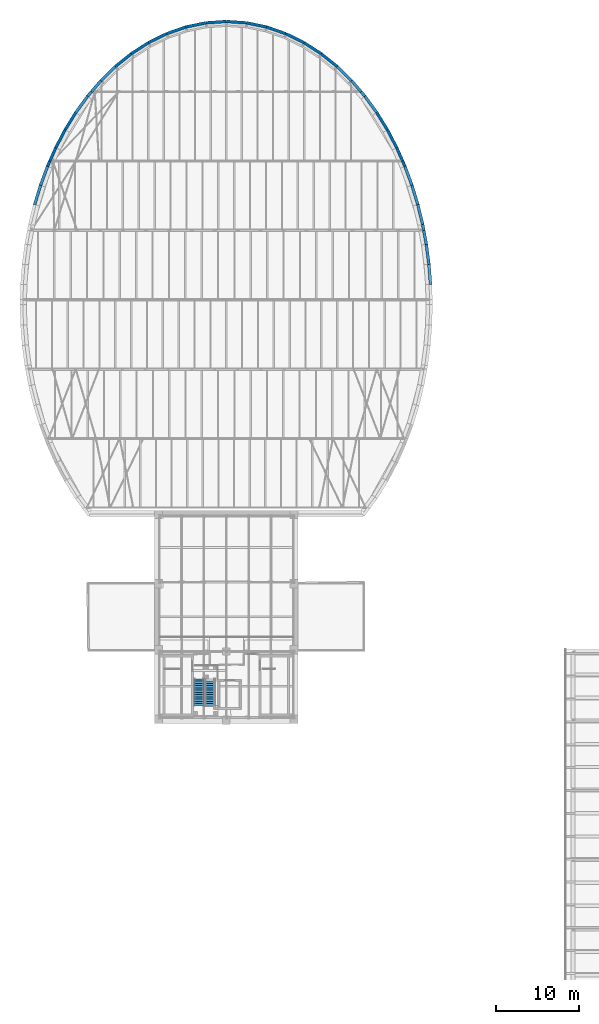
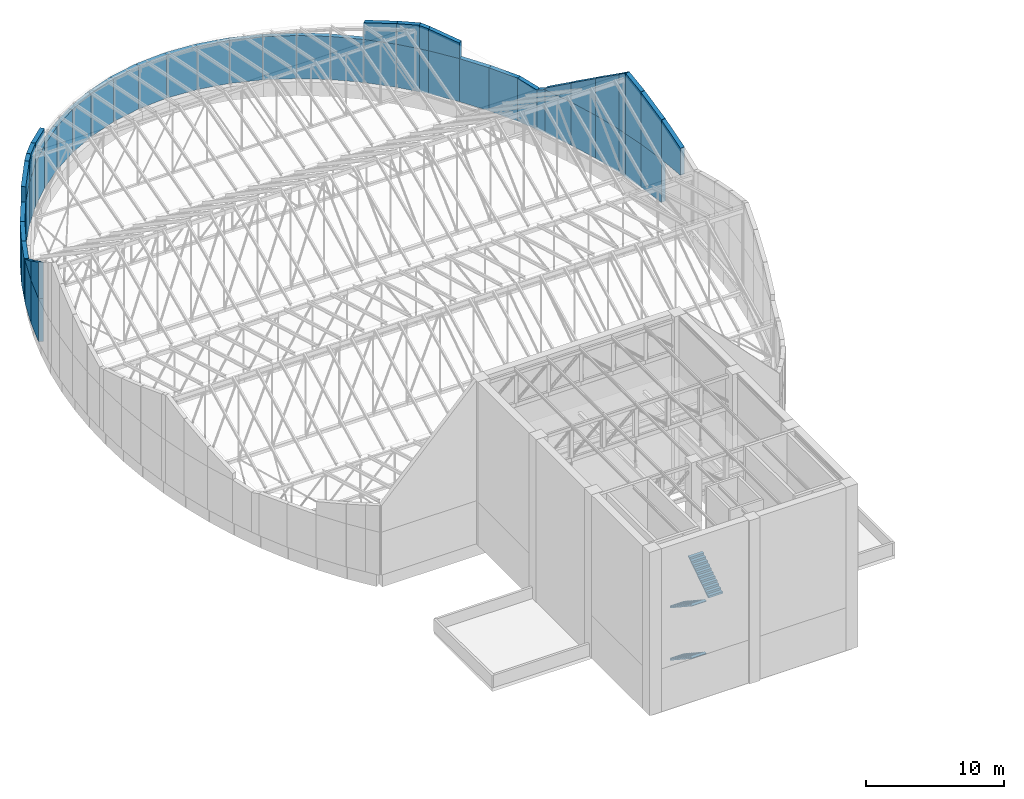
# One storey, part 38 of 68: 53 walls, 3 stair flights, 1 element without a shape of its own.
"""IFC4 building model written with IfcOpenShell, lengths in metres."""

import ifcopenshell
import ifcopenshell.guid

model = None  # the IFC model being written
_history = None  # IfcOwnerHistory: only IFC2X3 demands one
_inside = {}  # id of a spatial element -> (the spatial element, [elements in it])
_under = {}  # id of a project, library or spatial element -> (it, [spatial elements below it])
_declared = {}  # id of a project -> (the project, [libraries it declares])
_typed = {}  # id of a type object -> (the type object, [elements of that type])
_made_of = {}  # id of a material, layer set ... -> (it, [elements and type objects made of it])


def new_model(schema):
    """Start an empty IFC model of exactly this schema.

    Asked for "IFC4X3", IfcOpenShell would pick the latest addendum, in which some entities
    have other attributes; the version numbers below select the first issue.
    IFC2X3 requires an IfcOwnerHistory on every rooted entity: one is made here for all.
    """
    global model, _history
    if schema == "IFC4X3":
        model = ifcopenshell.file(schema_version=(4, 3, 0, 0))
    else:
        model = ifcopenshell.file(schema=schema)
    _inside.clear()
    _under.clear()
    _declared.clear()
    _typed.clear()
    _made_of.clear()
    _history = None
    if model.schema == "IFC2X3":
        org = make("IfcOrganization", Name="unknown")
        user = make(
            "IfcPersonAndOrganization",
            ThePerson=make("IfcPerson", FamilyName="unknown"),
            TheOrganization=org,
        )
        app = make(
            "IfcApplication",
            ApplicationDeveloper=org,
            Version="unknown",
            ApplicationFullName="unknown",
            ApplicationIdentifier="unknown",
        )
        _history = make(
            "IfcOwnerHistory",
            OwningUser=user,
            OwningApplication=app,
            ChangeAction="ADDED",
            CreationDate=0,
        )
    return model


def make(cls, **values):
    """One entity of the class cls with the attributes given. An attribute that is None is left unset."""
    return model.create_entity(
        cls, **{name: value for name, value in values.items() if value is not None}
    )


def rooted(cls, **values):
    """An entity with a GlobalId (a new one), such as an element, a storey or a relation."""
    return make(cls, GlobalId=ifcopenshell.guid.new(), OwnerHistory=_history, **values)


def si_unit(unit_type, name, prefix=None):
    """IfcSIUnit, for example si_unit("LENGTHUNIT", "METRE", prefix="MILLI")."""
    return make("IfcSIUnit", UnitType=unit_type, Prefix=prefix, Name=name)


def assignment(units):
    """IfcUnitAssignment: the units of a project."""
    return None if units is None else make("IfcUnitAssignment", Units=units)


def point(xyz):
    """IfcCartesianPoint."""
    return None if xyz is None else make("IfcCartesianPoint", Coordinates=xyz)


def direction(xyz):
    """IfcDirection."""
    return None if xyz is None else make("IfcDirection", DirectionRatios=xyz)


def frame(location, z_axis=None, x_axis=None):
    """IfcAxis2Placement3D, a coordinate frame: its origin and axes. An axis left out is left unset."""
    return make(
        "IfcAxis2Placement3D",
        Location=point(location),
        Axis=direction(z_axis),
        RefDirection=direction(x_axis),
    )


def frame_2d(location, x_axis=None):
    """IfcAxis2Placement2D, a coordinate frame in the plane: its origin and x axis."""
    return make(
        "IfcAxis2Placement2D", Location=point(location), RefDirection=direction(x_axis)
    )


def origin():
    """The frame at (0, 0, 0) with its axes left unset."""
    return frame((0.0, 0.0, 0.0))


def place(relative_to, where):
    """IfcLocalPlacement: puts the frame where relative to a parent placement (None: the world)."""
    return make(
        "IfcLocalPlacement", PlacementRelTo=relative_to, RelativePlacement=where
    )


def context(
    kind, dimensions, precision=None, world=None, true_north=None, identifier=None
):
    """IfcGeometricRepresentationContext, for example the 3D "Model" context."""
    return make(
        "IfcGeometricRepresentationContext",
        ContextIdentifier=identifier,
        ContextType=kind,
        CoordinateSpaceDimension=dimensions,
        Precision=precision,
        WorldCoordinateSystem=world,
        TrueNorth=true_north,
    )


def subcontext(parent, identifier, kind, view, scale=None):
    """IfcGeometricRepresentationSubContext, for example "Body" below "Model"."""
    return make(
        "IfcGeometricRepresentationSubContext",
        ContextIdentifier=identifier,
        ContextType=kind,
        ParentContext=parent,
        TargetScale=scale,
        TargetView=view,
    )


def project(units=None, contexts=None):
    """IfcProject with its units and contexts."""
    return rooted(
        "IfcProject",
        Name="project",
        RepresentationContexts=contexts,
        UnitsInContext=assignment(units),
    )


def spatial(cls, under=None, at=None, **own):
    """A site, building, storey or space (cls), placed at a placement, below another one or the project."""
    s = rooted(cls, ObjectPlacement=at, **own)
    if under is not None:
        _under.setdefault(under.id(), (under, []))[1].append(s)
    return s


def polyline(points):
    """IfcPolyline through the points."""
    return make("IfcPolyline", Points=[point(p) for p in points])


def profile(cls, at=None, kind="AREA", **sizes):
    """A parametric profile (cls). Its sizes go by their IFC names, for example OverallWidth=200.0."""
    return make(cls, ProfileType=kind, Position=at, **sizes)


def rectangle(**sizes):
    """IfcRectangleProfileDef."""
    return profile("IfcRectangleProfileDef", **sizes)


def outline(outer, holes=None, kind="AREA"):
    """IfcArbitraryClosedProfileDef: a profile drawn as a closed curve; with holes, ...WithVoids."""
    if holes is None:
        return make("IfcArbitraryClosedProfileDef", ProfileType=kind, OuterCurve=outer)
    return make(
        "IfcArbitraryProfileDefWithVoids",
        ProfileType=kind,
        OuterCurve=outer,
        InnerCurves=holes,
    )


def extrude(swept, where, along, depth):
    """IfcExtrudedAreaSolid: the profile swept, set in the frame where, extruded along a direction by depth."""
    return make(
        "IfcExtrudedAreaSolid",
        SweptArea=swept,
        Position=where,
        ExtrudedDirection=direction(along),
        Depth=depth,
    )


def shape(context_of_items, identifier, shape_type, items):
    """IfcShapeRepresentation: the items that make up one representation, for example the "Body"."""
    return make(
        "IfcShapeRepresentation",
        ContextOfItems=context_of_items,
        RepresentationIdentifier=identifier,
        RepresentationType=shape_type,
        Items=items,
    )


def material(Name=None, Category=None):
    """IfcMaterial."""
    return make("IfcMaterial", Name=Name, Category=Category)


def layer(
    of_material, thickness, ventilated=None, Name=None, Category=None, Priority=None
):
    """IfcMaterialLayer: one layer of a wall or slab, of a material (None: an air gap)."""
    return make(
        "IfcMaterialLayer",
        Material=of_material,
        LayerThickness=thickness,
        IsVentilated=ventilated,
        Name=Name,
        Category=Category,
        Priority=Priority,
    )


def layer_set(layers, Name=None):
    """IfcMaterialLayerSet."""
    return make("IfcMaterialLayerSet", MaterialLayers=layers, LayerSetName=Name)


def made_of(thing, what):
    """Note that an element or type object is made of a material, layer set ...; save() writes the relation."""
    if what is not None:
        _made_of.setdefault(what.id(), (what, []))[1].append(thing)
    return thing


def type_object(cls, material=None, **own):
    """A type object (cls), such as IfcWallType, which elements share."""
    return made_of(rooted(cls, **own), material)


def element(
    cls,
    number,
    at=None,
    inside=None,
    cuts=None,
    type_object=None,
    material=None,
    context=None,
    identifier="Body",
    shape_type=None,
    held_by="IfcProductDefinitionShape",
    body=None,
    shapes=None,
    **own,
):
    """One element of the class cls, such as IfcWall. Its Tag is "e" and its number.

    at: its placement. inside: the storey or other place that contains it. cuts: it is an
    opening in that element (IfcRelVoidsElement). A single representation is given by context,
    identifier, shape_type and body (its items); several are given by shapes. held_by: the class
    of the entity that holds the representations. save() writes the other relations.
    """
    e = rooted(cls, Tag="e%d" % number, ObjectPlacement=at, **own)
    if body is not None:
        shapes = [shape(context, identifier, shape_type, body)]
    if shapes is not None:
        e.Representation = make(held_by, Representations=shapes)
    if inside is not None:
        _inside.setdefault(inside.id(), (inside, []))[1].append(e)
    if cuts is not None:
        rooted(
            "IfcRelVoidsElement", RelatingBuildingElement=cuts, RelatedOpeningElement=e
        )
    if type_object is not None:
        _typed.setdefault(type_object.id(), (type_object, []))[1].append(e)
    return made_of(e, material)


def aggregate(whole, parts):
    """IfcRelAggregates: a whole, such as a stair, and the parts it consists of."""
    return rooted("IfcRelAggregates", RelatingObject=whole, RelatedObjects=parts)


def save(model, path):
    """Write the relations noted so far, then the file.

    IfcRelAggregates (storeys below a building ...), IfcRelContainedInSpatialStructure (elements
    in a storey), IfcRelDefinesByType, IfcRelAssociatesMaterial and IfcRelDeclares: one each for
    every whole, place, type object, material and project.
    """
    for whole, parts in _under.values():
        aggregate(whole, parts)
    for where, things in _inside.values():
        rooted(
            "IfcRelContainedInSpatialStructure",
            RelatedElements=things,
            RelatingStructure=where,
        )
    for kind, things in _typed.values():
        rooted("IfcRelDefinesByType", RelatedObjects=things, RelatingType=kind)
    for what, things in _made_of.values():
        rooted("IfcRelAssociatesMaterial", RelatedObjects=things, RelatingMaterial=what)
    for by, libraries in _declared.values():
        rooted("IfcRelDeclares", RelatingContext=by, RelatedDefinitions=libraries)
    model.write(path)


model = new_model("IFC4")

# Units and contexts
model_context = context("Model", 3, precision=1e-05, world=origin(), true_north=direction((0.0, 1.0)))
body_context = subcontext(model_context, "Body", "Model", "MODEL_VIEW")
ifc_project = project(units=[si_unit("LENGTHUNIT", "METRE"), si_unit("AREAUNIT", "SQUARE_METRE"), si_unit("VOLUMEUNIT", "CUBIC_METRE"), si_unit("PLANEANGLEUNIT", "RADIAN"), si_unit("MASSUNIT", "GRAM", prefix="KILO")], contexts=[model_context])

# Site, building, storey
site_placement = place(None, origin())
site = spatial("IfcSite", under=ifc_project, at=site_placement, CompositionType="ELEMENT")
building_placement = place(site_placement, origin())
building = spatial("IfcBuilding", under=site, at=building_placement, Name="Larchfold Concert Hall", CompositionType="ELEMENT")
storey_placement = place(building_placement, frame((0.0, 0.0, 28.800048828125)))
storey = spatial("IfcBuildingStorey", under=building, at=storey_placement, Name="L06", CompositionType="ELEMENT", Elevation=28.800048828125)

# Walls
ifc_material_1 = material(Name="White mineral panel on mineral wool")
ifc_layer = layer(ifc_material_1, 0.35009765625)
ifc_layer_set = layer_set([ifc_layer], Name="White mineral panel on mineral wool")
wall_type = type_object("IfcWallType", Name="Insulated panel wall 350", PredefinedType="SOLIDWALL", material=ifc_layer_set)
wall_1_placement = place(storey_placement, frame((19.390869140625, 96.711669921875, 0.0), z_axis=(0.0, 0.0, 1.0), x_axis=(0.29059883948, 0.956844979343, 0.0)))
element("IfcWall", 1, at=wall_1_placement, inside=storey, type_object=wall_type, Name="Infill wall W5280", PredefinedType="SOLIDWALL", context=body_context, shape_type="SweptSolid", body=[
    extrude(rectangle(XDim=2.451416015625, YDim=0.35009765625, at=frame_2d((1.2255859375, 0.0))), origin(), (0.0, 0.0, 1.0), 3.800048828125),
])
wall_2_placement = place(storey_placement, frame((19.390869140625, 96.711669921875, 3.800048828125), z_axis=(0.0, 0.0, 1.0), x_axis=(0.29059883948, 0.956844979343, 0.0)))
element("IfcWall", 2, at=wall_2_placement, inside=storey, type_object=wall_type, Name="Infill wall W5281", PredefinedType="SOLIDWALL", context=body_context, shape_type="SweptSolid", body=[
    extrude(outline(polyline([(0.0, 0.0), (2.451416015625, 0.0), (2.45166015625, 1.673828125), (0.0, 3.225830078125), (0.0, 0.0)])), frame((0.0, 0.175048828125, 0.0), z_axis=(0.0, -1.0, 0.0), x_axis=(1.0, 0.0, 0.0)), (0.0, 0.0, 1.0), 0.35009765625),
])
wall_3_placement = place(storey_placement, frame((20.103271484375, 99.057373046875, 0.0), z_axis=(0.0, 0.0, 1.0), x_axis=(0.346646332574, 0.937995906235, 0.0)))
element("IfcWall", 3, at=wall_3_placement, inside=storey, type_object=wall_type, Name="Infill wall W5282", PredefinedType="SOLIDWALL", context=body_context, shape_type="SweptSolid", body=[
    extrude(rectangle(XDim=2.452392578125, YDim=0.35009765625, at=frame_2d((1.22607421875, 0.0))), origin(), (0.0, 0.0, 1.0), 3.800048828125),
])
wall_4_placement = place(storey_placement, frame((20.103271484375, 99.057373046875, 3.800048828125), z_axis=(0.0, 0.0, 1.0), x_axis=(0.346646332574, 0.937995906235, 0.0)))
element("IfcWall", 4, at=wall_4_placement, inside=storey, type_object=wall_type, Name="Infill wall W5283", PredefinedType="SOLIDWALL", context=body_context, shape_type="SweptSolid", body=[
    extrude(outline(polyline([(0.0, 0.0), (2.452392578125, 0.0), (2.452392578125, 0.126220703125), (0.0, 1.648193359375), (0.0, 0.0)])), frame((0.0, 0.175048828125, 0.0), z_axis=(0.0, -1.0, 0.0), x_axis=(1.0, 0.0, 0.0)), (0.0, 0.0, 1.0), 0.35009765625),
])
wall_5_placement = place(storey_placement, frame((20.953369140625, 101.357666015625, 0.0), z_axis=(0.0, 0.0, 1.0), x_axis=(0.404008250165, 0.914755340951, 0.0)))
element("IfcWall", 5, at=wall_5_placement, inside=storey, type_object=wall_type, Name="Infill wall W5284", PredefinedType="SOLIDWALL", context=body_context, shape_type="SweptSolid", body=[
    extrude(outline(polyline([(0.0, 0.0), (0.7021484375, 0.0), (0.7021484375, 3.493896484375), (0.0, 3.800048828125), (0.0, 0.0)])), frame((0.0, 0.175048828125, 0.0), z_axis=(0.0, -1.0, 0.0), x_axis=(1.0, 0.0, 0.0)), (0.0, 0.0, 1.0), 0.35009765625),
])
wall_6_placement = place(storey_placement, frame((21.237060546875, 102.0, 0.0), z_axis=(0.0, 0.0, 1.0), x_axis=(0.404093307549, 0.914717770022, 0.0)))
element("IfcWall", 6, at=wall_6_placement, inside=storey, type_object=wall_type, Name="Infill wall W5285", PredefinedType="SOLIDWALL", context=body_context, shape_type="SweptSolid", body=[
    extrude(outline(polyline([(0.0, 0.0), (1.7509765625, 0.0), (1.7509765625, 3.800048828125), (0.0, 3.469482421875), (0.0, 0.0)])), frame((0.0, 0.175048828125, 0.0), z_axis=(0.0, -1.0, 0.0), x_axis=(1.0, 0.0, 0.0)), (0.0, 0.0, 1.0), 0.35009765625),
])
wall_7_placement = place(storey_placement, frame((21.944580078125, 103.6015625, 0.0), z_axis=(0.0, 0.0, 1.0), x_axis=(0.463137019164, 0.8862866926, 0.0)))
element("IfcWall", 7, at=wall_7_placement, inside=storey, type_object=wall_type, Name="Infill wall W5286", PredefinedType="SOLIDWALL", context=body_context, shape_type="SweptSolid", body=[
    extrude(rectangle(XDim=2.454345703125, YDim=0.35009765625, at=frame_2d((1.22705078125, 0.0))), origin(), (0.0, 0.0, 1.0), 3.800048828125),
])
wall_8_placement = place(storey_placement, frame((23.081298828125, 105.77685546875, 0.0), z_axis=(0.0, 0.0, 1.0), x_axis=(0.524097425664, 0.851658316705, 0.0)))
element("IfcWall", 8, at=wall_8_placement, inside=storey, type_object=wall_type, Name="Infill wall W5287", PredefinedType="SOLIDWALL", context=body_context, shape_type="SweptSolid", body=[
    extrude(rectangle(XDim=2.455810546875, YDim=0.35009765625, at=frame_2d((1.22802734375, 0.0))), origin(), (0.0, 0.0, 1.0), 3.800048828125),
])
wall_9_placement = place(storey_placement, frame((24.368408203125, 107.868408203125, 0.0), z_axis=(0.0, 0.0, 1.0), x_axis=(0.586628910648, 0.809855864455, 0.0)))
element("IfcWall", 9, at=wall_9_placement, inside=storey, type_object=wall_type, Name="Infill wall W5288", PredefinedType="SOLIDWALL", context=body_context, shape_type="SweptSolid", body=[
    extrude(rectangle(XDim=2.45751953125, YDim=0.35009765625, at=frame_2d((1.228759765625, 0.0))), origin(), (0.0, 0.0, 1.0), 3.800048828125),
])
wall_10_placement = place(storey_placement, frame((24.368408203125, 107.868408203125, 3.800048828125), z_axis=(0.0, 0.0, 1.0), x_axis=(0.586628910648, 0.809855864455, 0.0)))
element("IfcWall", 10, at=wall_10_placement, inside=storey, type_object=wall_type, Name="Infill wall W5289", PredefinedType="SOLIDWALL", context=body_context, shape_type="SweptSolid", body=[
    extrude(outline(polyline([(0.0, 0.0), (2.45751953125, 0.0), (2.45751953125, 1.915283203125), (0.0, 1.361572265625), (0.0, 0.0)])), frame((0.0, 0.175048828125, 0.0), z_axis=(0.0, -1.0, 0.0), x_axis=(1.0, 0.0, 0.0)), (0.0, 0.0, 1.0), 0.35009765625),
])
wall_11_placement = place(storey_placement, frame((25.81005859375, 109.858642578125, 0.0), z_axis=(0.0, 0.0, 1.0), x_axis=(0.650537433413, 0.759474191615, 0.0)))
element("IfcWall", 11, at=wall_11_placement, inside=storey, type_object=wall_type, Name="Infill wall W5290", PredefinedType="SOLIDWALL", context=body_context, shape_type="SweptSolid", body=[
    extrude(rectangle(XDim=0.712646484375, YDim=0.35009765625, at=frame_2d((0.3564453125, 0.0))), origin(), (0.0, 0.0, 1.0), 3.800048828125),
])
wall_12_placement = place(storey_placement, frame((25.81005859375, 109.858642578125, 3.800048828125), z_axis=(0.0, 0.0, 1.0), x_axis=(0.650537433413, 0.759474191615, 0.0)))
element("IfcWall", 12, at=wall_12_placement, inside=storey, type_object=wall_type, Name="Infill wall W5291", PredefinedType="SOLIDWALL", context=body_context, shape_type="SweptSolid", body=[
    extrude(outline(polyline([(0.0, 0.0), (0.712646484375, 0.0), (0.712890625, 2.068603515625), (0.0, 1.924072265625), (0.0, 0.0)])), frame((0.0, 0.175048828125, 0.0), z_axis=(0.0, -1.0, 0.0), x_axis=(1.0, 0.0, 0.0)), (0.0, 0.0, 1.0), 0.35009765625),
])
wall_13_placement = place(storey_placement, frame((26.273681640625, 110.39990234375, 0.0), z_axis=(0.0, 0.0, 1.0), x_axis=(0.650492049529, 0.759513063416, 0.0)))
element("IfcWall", 13, at=wall_13_placement, inside=storey, type_object=wall_type, Name="Infill wall W5292", PredefinedType="SOLIDWALL", context=body_context, shape_type="SweptSolid", body=[
    extrude(rectangle(XDim=1.746826171875, YDim=0.35009765625, at=frame_2d((0.87353515625, 0.0))), origin(), (0.0, 0.0, 1.0), 3.800048828125),
])
wall_14_placement = place(storey_placement, frame((26.273681640625, 110.39990234375, 3.800048828125), z_axis=(0.0, 0.0, 1.0), x_axis=(0.650492049529, 0.759513063416, 0.0)))
element("IfcWall", 14, at=wall_14_placement, inside=storey, type_object=wall_type, Name="Infill wall W5293", PredefinedType="SOLIDWALL", context=body_context, shape_type="SweptSolid", body=[
    extrude(outline(polyline([(0.0, 0.0), (1.746826171875, 0.0), (1.74658203125, 1.82080078125), (0.0, 2.0771484375), (0.0, 0.0)])), frame((0.0, 0.175048828125, 0.0), z_axis=(0.0, -1.0, 0.0), x_axis=(1.0, 0.0, 0.0)), (0.0, 0.0, 1.0), 0.35009765625),
])
wall_15_placement = place(storey_placement, frame((27.409912109375, 111.7265625, 0.0), z_axis=(0.0, 0.0, 1.0), x_axis=(0.715046333048, 0.699077064131, 0.0)))
element("IfcWall", 15, at=wall_15_placement, inside=storey, type_object=wall_type, Name="Infill wall W5294", PredefinedType="SOLIDWALL", context=body_context, shape_type="SweptSolid", body=[
    extrude(rectangle(XDim=2.46142578125, YDim=0.35009765625, at=frame_2d((1.230712890625, 0.0))), origin(), (0.0, 0.0, 1.0), 3.800048828125),
])
wall_16_placement = place(storey_placement, frame((27.409912109375, 111.7265625, 3.800048828125), z_axis=(0.0, 0.0, 1.0), x_axis=(0.715046333048, 0.699077064131, 0.0)))
element("IfcWall", 16, at=wall_16_placement, inside=storey, type_object=wall_type, Name="Infill wall W5295", PredefinedType="SOLIDWALL", context=body_context, shape_type="SweptSolid", body=[
    extrude(outline(polyline([(0.0, 0.0), (2.46142578125, 0.0), (2.46142578125, 1.476318359375), (0.0, 1.81494140625), (0.0, 0.0)])), frame((0.0, 0.175048828125, 0.0), z_axis=(0.0, -1.0, 0.0), x_axis=(1.0, 0.0, 0.0)), (0.0, 0.0, 1.0), 0.35009765625),
])
wall_17_placement = place(storey_placement, frame((29.169921875, 113.447265625, 0.0), z_axis=(0.0, 0.0, 1.0), x_axis=(0.779009324378, 0.627012338421, 0.0)))
element("IfcWall", 17, at=wall_17_placement, inside=storey, type_object=wall_type, Name="Infill wall W5296", PredefinedType="SOLIDWALL", context=body_context, shape_type="SweptSolid", body=[
    extrude(rectangle(XDim=2.4638671875, YDim=0.35009765625, at=frame_2d((1.23193359375, 0.0))), origin(), (0.0, 0.0, 1.0), 3.800048828125),
])
wall_18_placement = place(storey_placement, frame((31.08935546875, 114.9921875, 0.0), z_axis=(0.0, 0.0, 1.0), x_axis=(0.84047987844, 0.541842757576, 0.0)))
element("IfcWall", 18, at=wall_18_placement, inside=storey, type_object=wall_type, Name="Infill wall W5297", PredefinedType="SOLIDWALL", context=body_context, shape_type="SweptSolid", body=[
    extrude(rectangle(XDim=2.466552734375, YDim=0.35009765625, at=frame_2d((1.2333984375, 0.0))), origin(), (0.0, 0.0, 1.0), 3.800048828125),
])
wall_19_placement = place(storey_placement, frame((33.162353515625, 116.32861328125, 0.0), z_axis=(0.0, 0.0, 1.0), x_axis=(0.896846687475, 0.442341518699, 0.0)))
element("IfcWall", 19, at=wall_19_placement, inside=storey, type_object=wall_type, Name="Infill wall W5298", PredefinedType="SOLIDWALL", context=body_context, shape_type="SweptSolid", body=[
    extrude(rectangle(XDim=2.46875, YDim=0.35009765625, at=frame_2d((1.234375, 0.0))), origin(), (0.0, 0.0, 1.0), 3.800048828125),
])
wall_20_placement = place(storey_placement, frame((35.37646484375, 117.420654296875, 0.0), z_axis=(0.0, 0.0, 1.0), x_axis=(0.944350113092, 0.328942037301, 0.0)))
element("IfcWall", 20, at=wall_20_placement, inside=storey, type_object=wall_type, Name="Infill wall W5299", PredefinedType="SOLIDWALL", context=body_context, shape_type="SweptSolid", body=[
    extrude(rectangle(XDim=2.471435546875, YDim=0.35009765625, at=frame_2d((1.23583984375, 0.0))), origin(), (0.0, 0.0, 1.0), 3.800048828125),
])
wall_21_placement = place(storey_placement, frame((37.71044921875, 118.233642578125, 0.0), z_axis=(0.0, 0.0, 1.0), x_axis=(0.979181994484, 0.202984289238, 0.0)))
element("IfcWall", 21, at=wall_21_placement, inside=storey, type_object=wall_type, Name="Infill wall W5300", PredefinedType="SOLIDWALL", context=body_context, shape_type="SweptSolid", body=[
    extrude(rectangle(XDim=2.472900390625, YDim=0.35009765625, at=frame_2d((1.236328125, 0.0))), origin(), (0.0, 0.0, 1.0), 3.800048828125),
])
for number, where, z_axis, x_axis, name in (
    (22, (40.1318359375, 118.735595703125, 0.0), (0.0, 0.0, 1.0), (0.997631963039, 0.068778385582, 0.0), "Infill wall W5301"),
    (23, (42.60009765625, 118.90576171875, 0.0), (0.0, 0.0, 1.0), (0.997631963039, -0.068778385582, 0.0), "Infill wall W5302"),
):
    element("IfcWall", number, at=place(storey_placement, frame(where, z_axis=z_axis, x_axis=x_axis)), inside=storey, type_object=wall_type, Name=name, PredefinedType="SOLIDWALL", context=body_context, shape_type="SweptSolid", body=[
        extrude(rectangle(XDim=2.47412109375, YDim=0.35009765625, at=frame_2d((1.237060546875, 0.0))), origin(), (0.0, 0.0, 1.0), 3.800048828125),
    ])
wall_22_placement = place(storey_placement, frame((45.068359375, 118.735595703125, 0.0), z_axis=(0.0, 0.0, 1.0), x_axis=(0.979181994484, -0.202984289238, 0.0)))
element("IfcWall", 24, at=wall_22_placement, inside=storey, type_object=wall_type, Name="Infill wall W5303", PredefinedType="SOLIDWALL", context=body_context, shape_type="SweptSolid", body=[
    extrude(rectangle(XDim=2.472900390625, YDim=0.35009765625, at=frame_2d((1.236328125, 0.0))), origin(), (0.0, 0.0, 1.0), 3.800048828125),
])
wall_23_placement = place(storey_placement, frame((47.48974609375, 118.233642578125, 0.0), z_axis=(0.0, 0.0, 1.0), x_axis=(0.944350113092, -0.328942037301, 0.0)))
element("IfcWall", 25, at=wall_23_placement, inside=storey, type_object=wall_type, Name="Infill wall W5304", PredefinedType="SOLIDWALL", context=body_context, shape_type="SweptSolid", body=[
    extrude(rectangle(XDim=2.471435546875, YDim=0.35009765625, at=frame_2d((1.23583984375, 0.0))), origin(), (0.0, 0.0, 1.0), 3.800048828125),
])
wall_24_placement = place(storey_placement, frame((49.82373046875, 117.420654296875, 0.0), z_axis=(0.0, 0.0, 1.0), x_axis=(0.896846687475, -0.442341518699, 0.0)))
element("IfcWall", 26, at=wall_24_placement, inside=storey, type_object=wall_type, Name="Infill wall W5305", PredefinedType="SOLIDWALL", context=body_context, shape_type="SweptSolid", body=[
    extrude(rectangle(XDim=2.46875, YDim=0.35009765625, at=frame_2d((1.234375, 0.0))), origin(), (0.0, 0.0, 1.0), 3.800048828125),
])
wall_25_placement = place(storey_placement, frame((52.037841796875, 116.32861328125, 0.0), z_axis=(0.0, 0.0, 1.0), x_axis=(0.84047987844, -0.541842757576, 0.0)))
element("IfcWall", 27, at=wall_25_placement, inside=storey, type_object=wall_type, Name="Infill wall W5306", PredefinedType="SOLIDWALL", context=body_context, shape_type="SweptSolid", body=[
    extrude(rectangle(XDim=2.466552734375, YDim=0.35009765625, at=frame_2d((1.2333984375, 0.0))), origin(), (0.0, 0.0, 1.0), 3.800048828125),
])
wall_26_placement = place(storey_placement, frame((54.11083984375, 114.9921875, 0.0), z_axis=(0.0, 0.0, 1.0), x_axis=(0.779009324378, -0.627012338421, 0.0)))
element("IfcWall", 28, at=wall_26_placement, inside=storey, type_object=wall_type, Name="Infill wall W5307", PredefinedType="SOLIDWALL", context=body_context, shape_type="SweptSolid", body=[
    extrude(rectangle(XDim=2.4638671875, YDim=0.35009765625, at=frame_2d((1.23193359375, 0.0))), origin(), (0.0, 0.0, 1.0), 3.800048828125),
])
wall_27_placement = place(storey_placement, frame((56.0302734375, 113.447265625, 0.0), z_axis=(0.0, 0.0, 1.0), x_axis=(0.715046333048, -0.699077064131, 0.0)))
element("IfcWall", 29, at=wall_27_placement, inside=storey, type_object=wall_type, Name="Infill wall W5308", PredefinedType="SOLIDWALL", context=body_context, shape_type="SweptSolid", body=[
    extrude(rectangle(XDim=2.46142578125, YDim=0.35009765625, at=frame_2d((1.230712890625, 0.0))), origin(), (0.0, 0.0, 1.0), 3.800048828125),
])
wall_28_placement = place(storey_placement, frame((56.0302734375, 113.447265625, 3.800048828125), z_axis=(0.0, 0.0, 1.0), x_axis=(0.715046333048, -0.699077064131, 0.0)))
element("IfcWall", 30, at=wall_28_placement, inside=storey, type_object=wall_type, Name="Infill wall W5309", PredefinedType="SOLIDWALL", context=body_context, shape_type="SweptSolid", body=[
    extrude(outline(polyline([(0.0, 0.0), (2.46142578125, 0.0), (2.46142578125, 1.81494140625), (0.0, 1.476318359375), (0.0, 0.0)])), frame((0.0, 0.175048828125, 0.0), z_axis=(0.0, -1.0, 0.0), x_axis=(1.0, 0.0, 0.0)), (0.0, 0.0, 1.0), 0.35009765625),
])
wall_29_placement = place(storey_placement, frame((57.790283203125, 111.7265625, 0.0), z_axis=(0.0, 0.0, 1.0), x_axis=(0.650492049529, -0.759513063416, 0.0)))
element("IfcWall", 31, at=wall_29_placement, inside=storey, type_object=wall_type, Name="Infill wall W5310", PredefinedType="SOLIDWALL", context=body_context, shape_type="SweptSolid", body=[
    extrude(rectangle(XDim=1.746826171875, YDim=0.35009765625, at=frame_2d((0.87353515625, 0.0))), origin(), (0.0, 0.0, 1.0), 3.800048828125),
])
wall_30_placement = place(storey_placement, frame((57.790283203125, 111.7265625, 3.800048828125), z_axis=(0.0, 0.0, 1.0), x_axis=(0.650492049529, -0.759513063416, 0.0)))
element("IfcWall", 32, at=wall_30_placement, inside=storey, type_object=wall_type, Name="Infill wall W5311", PredefinedType="SOLIDWALL", context=body_context, shape_type="SweptSolid", body=[
    extrude(outline(polyline([(0.0, 0.0), (1.746826171875, 0.0), (1.74658203125, 2.0771484375), (0.0, 1.82080078125), (0.0, 0.0)])), frame((0.0, 0.175048828125, 0.0), z_axis=(0.0, -1.0, 0.0), x_axis=(1.0, 0.0, 0.0)), (0.0, 0.0, 1.0), 0.35009765625),
])
wall_31_placement = place(storey_placement, frame((58.926513671875, 110.39990234375, 0.0), z_axis=(0.0, 0.0, 1.0), x_axis=(0.650537433413, -0.759474191615, 0.0)))
element("IfcWall", 33, at=wall_31_placement, inside=storey, type_object=wall_type, Name="Infill wall W5312", PredefinedType="SOLIDWALL", context=body_context, shape_type="SweptSolid", body=[
    extrude(rectangle(XDim=0.712646484375, YDim=0.35009765625, at=frame_2d((0.3564453125, 0.0))), origin(), (0.0, 0.0, 1.0), 3.800048828125),
])
wall_32_placement = place(storey_placement, frame((58.926513671875, 110.39990234375, 3.800048828125), z_axis=(0.0, 0.0, 1.0), x_axis=(0.650537433413, -0.759474191615, 0.0)))
element("IfcWall", 34, at=wall_32_placement, inside=storey, type_object=wall_type, Name="Infill wall W5313", PredefinedType="SOLIDWALL", context=body_context, shape_type="SweptSolid", body=[
    extrude(outline(polyline([(0.0, 0.0), (0.712646484375, 0.0), (0.712890625, 1.924072265625), (0.0, 2.068603515625), (0.0, 0.0)])), frame((0.0, 0.175048828125, 0.0), z_axis=(0.0, -1.0, 0.0), x_axis=(1.0, 0.0, 0.0)), (0.0, 0.0, 1.0), 0.35009765625),
])
wall_33_placement = place(storey_placement, frame((59.39013671875, 109.858642578125, 0.0), z_axis=(0.0, 0.0, 1.0), x_axis=(0.586628910648, -0.809855864455, 0.0)))
element("IfcWall", 35, at=wall_33_placement, inside=storey, type_object=wall_type, Name="Infill wall W5314", PredefinedType="SOLIDWALL", context=body_context, shape_type="SweptSolid", body=[
    extrude(rectangle(XDim=2.45751953125, YDim=0.35009765625, at=frame_2d((1.228759765625, 0.0))), origin(), (0.0, 0.0, 1.0), 3.800048828125),
])
wall_34_placement = place(storey_placement, frame((59.39013671875, 109.858642578125, 3.800048828125), z_axis=(0.0, 0.0, 1.0), x_axis=(0.586628910648, -0.809855864455, 0.0)))
element("IfcWall", 36, at=wall_34_placement, inside=storey, type_object=wall_type, Name="Infill wall W5315", PredefinedType="SOLIDWALL", context=body_context, shape_type="SweptSolid", body=[
    extrude(outline(polyline([(0.0, 0.0), (2.45751953125, 0.0), (2.45751953125, 1.361572265625), (0.0, 1.915283203125), (0.0, 0.0)])), frame((0.0, 0.175048828125, 0.0), z_axis=(0.0, -1.0, 0.0), x_axis=(1.0, 0.0, 0.0)), (0.0, 0.0, 1.0), 0.35009765625),
])
wall_35_placement = place(storey_placement, frame((60.831787109375, 107.868408203125, 0.0), z_axis=(0.0, 0.0, 1.0), x_axis=(0.524097425664, -0.851658316705, 0.0)))
element("IfcWall", 37, at=wall_35_placement, inside=storey, type_object=wall_type, Name="Infill wall W5316", PredefinedType="SOLIDWALL", context=body_context, shape_type="SweptSolid", body=[
    extrude(rectangle(XDim=2.455810546875, YDim=0.35009765625, at=frame_2d((1.22802734375, 0.0))), origin(), (0.0, 0.0, 1.0), 3.800048828125),
])
wall_36_placement = place(storey_placement, frame((62.118896484375, 105.77685546875, 0.0), z_axis=(0.0, 0.0, 1.0), x_axis=(0.463137019164, -0.8862866926, 0.0)))
element("IfcWall", 38, at=wall_36_placement, inside=storey, type_object=wall_type, Name="Infill wall W5317", PredefinedType="SOLIDWALL", context=body_context, shape_type="SweptSolid", body=[
    extrude(rectangle(XDim=2.454345703125, YDim=0.35009765625, at=frame_2d((1.22705078125, 0.0))), origin(), (0.0, 0.0, 1.0), 3.800048828125),
])
wall_37_placement = place(storey_placement, frame((63.255615234375, 103.6015625, 0.0), z_axis=(0.0, 0.0, 1.0), x_axis=(0.404093307549, -0.914717770022, 0.0)))
element("IfcWall", 39, at=wall_37_placement, inside=storey, type_object=wall_type, Name="Infill wall W5318", PredefinedType="SOLIDWALL", context=body_context, shape_type="SweptSolid", body=[
    extrude(outline(polyline([(0.0, 0.0), (1.7509765625, 0.0), (1.7509765625, 3.469482421875), (0.0, 3.800048828125), (0.0, 0.0)])), frame((0.0, 0.175048828125, 0.0), z_axis=(0.0, -1.0, 0.0), x_axis=(1.0, 0.0, 0.0)), (0.0, 0.0, 1.0), 0.35009765625),
])
wall_38_placement = place(storey_placement, frame((63.963134765625, 102.0, 0.0), z_axis=(0.0, 0.0, 1.0), x_axis=(0.404008250165, -0.914755340951, 0.0)))
element("IfcWall", 40, at=wall_38_placement, inside=storey, type_object=wall_type, Name="Infill wall W5319", PredefinedType="SOLIDWALL", context=body_context, shape_type="SweptSolid", body=[
    extrude(outline(polyline([(0.0, 0.0), (0.7021484375, 0.0), (0.7021484375, 3.800048828125), (0.0, 3.493896484375), (0.0, 0.0)])), frame((0.0, 0.175048828125, 0.0), z_axis=(0.0, -1.0, 0.0), x_axis=(1.0, 0.0, 0.0)), (0.0, 0.0, 1.0), 0.35009765625),
])
wall_39_placement = place(storey_placement, frame((64.246826171875, 101.357666015625, 0.0), z_axis=(0.0, 0.0, 1.0), x_axis=(0.346646332574, -0.937995906235, 0.0)))
element("IfcWall", 41, at=wall_39_placement, inside=storey, type_object=wall_type, Name="Infill wall W5320", PredefinedType="SOLIDWALL", context=body_context, shape_type="SweptSolid", body=[
    extrude(rectangle(XDim=2.452392578125, YDim=0.35009765625, at=frame_2d((1.22607421875, 0.0))), origin(), (0.0, 0.0, 1.0), 3.800048828125),
])
wall_40_placement = place(storey_placement, frame((64.246826171875, 101.357666015625, 3.800048828125), z_axis=(0.0, 0.0, 1.0), x_axis=(0.346646332574, -0.937995906235, 0.0)))
element("IfcWall", 42, at=wall_40_placement, inside=storey, type_object=wall_type, Name="Infill wall W5321", PredefinedType="SOLIDWALL", context=body_context, shape_type="SweptSolid", body=[
    extrude(outline(polyline([(0.0, 0.0), (2.452392578125, 0.0), (2.452392578125, 1.648193359375), (0.0, 0.126220703125), (0.0, 0.0)])), frame((0.0, 0.175048828125, 0.0), z_axis=(0.0, -1.0, 0.0), x_axis=(1.0, 0.0, 0.0)), (0.0, 0.0, 1.0), 0.35009765625),
])
wall_41_placement = place(storey_placement, frame((65.096923828125, 99.057373046875, 0.0), z_axis=(0.0, 0.0, 1.0), x_axis=(0.29059883948, -0.956844979343, 0.0)))
element("IfcWall", 43, at=wall_41_placement, inside=storey, type_object=wall_type, Name="Infill wall W5322", PredefinedType="SOLIDWALL", context=body_context, shape_type="SweptSolid", body=[
    extrude(rectangle(XDim=2.451416015625, YDim=0.35009765625, at=frame_2d((1.2255859375, 0.0))), origin(), (0.0, 0.0, 1.0), 3.800048828125),
])
wall_42_placement = place(storey_placement, frame((65.096923828125, 99.057373046875, 3.800048828125), z_axis=(0.0, 0.0, 1.0), x_axis=(0.29059883948, -0.956844979343, 0.0)))
element("IfcWall", 44, at=wall_42_placement, inside=storey, type_object=wall_type, Name="Infill wall W5323", PredefinedType="SOLIDWALL", context=body_context, shape_type="SweptSolid", body=[
    extrude(outline(polyline([(0.0, 0.0), (2.451416015625, 0.0), (2.45166015625, 3.225830078125), (0.0, 1.673828125), (0.0, 0.0)])), frame((0.0, 0.175048828125, 0.0), z_axis=(0.0, -1.0, 0.0), x_axis=(1.0, 0.0, 0.0)), (0.0, 0.0, 1.0), 0.35009765625),
])
wall_43_placement = place(storey_placement, frame((65.809326171875, 96.711669921875, 0.0), z_axis=(0.0, 0.0, 1.0), x_axis=(0.235873702979, -0.971783718861, 0.0)))
element("IfcWall", 45, at=wall_43_placement, inside=storey, type_object=wall_type, Name="Infill wall W5324", PredefinedType="SOLIDWALL", context=body_context, shape_type="SweptSolid", body=[
    extrude(rectangle(XDim=2.450927734375, YDim=0.35009765625, at=frame_2d((1.2255859375, 0.0))), origin(), (0.0, 0.0, 1.0), 3.800048828125),
])
wall_44_placement = place(storey_placement, frame((65.809326171875, 96.711669921875, 3.800048828125), z_axis=(0.0, 0.0, 1.0), x_axis=(0.235873702979, -0.971783718861, 0.0)))
element("IfcWall", 46, at=wall_44_placement, inside=storey, type_object=wall_type, Name="Infill wall W5325", PredefinedType="SOLIDWALL", context=body_context, shape_type="SweptSolid", body=[
    extrude(outline(polyline([(0.0, 0.0), (2.450927734375, 0.0), (2.450927734375, 4.82763671875), (0.0, 3.251708984375), (0.0, 0.0)])), frame((0.0, 0.175048828125, 0.0), z_axis=(0.0, -1.0, 0.0), x_axis=(1.0, 0.0, 0.0)), (0.0, 0.0, 1.0), 0.35009765625),
])
wall_45_placement = place(storey_placement, frame((66.387451171875, 94.329833984375, 0.0), z_axis=(0.0, 0.0, 1.0), x_axis=(0.182560396657, -0.983194640736, 0.0)))
element("IfcWall", 47, at=wall_45_placement, inside=storey, type_object=wall_type, Name="Infill wall W5326", PredefinedType="SOLIDWALL", context=body_context, shape_type="SweptSolid", body=[
    extrude(rectangle(XDim=0.7421875, YDim=0.35009765625, at=frame_2d((0.37109375, 0.0))), origin(), (0.0, 0.0, 1.0), 3.800048828125),
])
wall_46_placement = place(storey_placement, frame((66.387451171875, 94.329833984375, 3.800048828125), z_axis=(0.0, 0.0, 1.0), x_axis=(0.182560396657, -0.983194640736, 0.0)))
element("IfcWall", 48, at=wall_46_placement, inside=storey, type_object=wall_type, Name="Infill wall W5327", PredefinedType="SOLIDWALL", context=body_context, shape_type="SweptSolid", body=[
    extrude(outline(polyline([(0.0, 0.0), (0.7421875, 0.0), (0.742431640625, 5.34765625), (0.0, 4.853759765625), (0.0, 0.0)])), frame((0.0, 0.175048828125, 0.0), z_axis=(0.0, -1.0, 0.0), x_axis=(1.0, 0.0, 0.0)), (0.0, 0.0, 1.0), 0.35009765625),
])
wall_47_placement = place(storey_placement, frame((66.52294921875, 93.60009765625, 0.0), z_axis=(0.0, 0.0, 1.0), x_axis=(0.182242809401, -0.983253557543, 0.0)))
element("IfcWall", 49, at=wall_47_placement, inside=storey, type_object=wall_type, Name="Infill wall W5328", PredefinedType="SOLIDWALL", context=body_context, shape_type="SweptSolid", body=[
    extrude(rectangle(XDim=1.7080078125, YDim=0.35009765625, at=frame_2d((0.85400390625, 0.0))), origin(), (0.0, 0.0, 1.0), 3.800048828125),
])
wall_48_placement = place(storey_placement, frame((66.52294921875, 93.60009765625, 3.800048828125), z_axis=(0.0, 0.0, 1.0), x_axis=(0.182242809401, -0.983253557543, 0.0)))
element("IfcWall", 50, at=wall_48_placement, inside=storey, type_object=wall_type, Name="Infill wall W5329", PredefinedType="SOLIDWALL", context=body_context, shape_type="SweptSolid", body=[
    extrude(outline(polyline([(0.0, 0.0), (1.7080078125, 0.0), (1.7080078125, 4.588134765625), (0.0, 5.329833984375), (0.0, 0.0)])), frame((0.0, 0.175048828125, 0.0), z_axis=(0.0, -1.0, 0.0), x_axis=(1.0, 0.0, 0.0)), (0.0, 0.0, 1.0), 0.35009765625),
])
wall_49_placement = place(storey_placement, frame((66.834228515625, 91.920654296875, 0.0), z_axis=(0.0, 0.0, 1.0), x_axis=(0.129748157717, -0.99154698102, 0.0)))
element("IfcWall", 51, at=wall_49_placement, inside=storey, type_object=wall_type, Name="Infill wall W5330", PredefinedType="SOLIDWALL", context=body_context, shape_type="SweptSolid", body=[
    extrude(rectangle(XDim=2.449951171875, YDim=0.35009765625, at=frame_2d((1.22509765625, 0.0))), origin(), (0.0, 0.0, 1.0), 3.800048828125),
])
wall_50_placement = place(storey_placement, frame((66.834228515625, 91.920654296875, 3.800048828125), z_axis=(0.0, 0.0, 1.0), x_axis=(0.129748157717, -0.99154698102, 0.0)))
element("IfcWall", 52, at=wall_50_placement, inside=storey, type_object=wall_type, Name="Infill wall W5331", PredefinedType="SOLIDWALL", context=body_context, shape_type="SweptSolid", body=[
    extrude(outline(polyline([(0.0, 0.0), (2.449951171875, 0.0), (2.449951171875, 3.4892578125), (0.0, 4.570068359375), (0.0, 0.0)])), frame((0.0, 0.175048828125, 0.0), z_axis=(0.0, -1.0, 0.0), x_axis=(1.0, 0.0, 0.0)), (0.0, 0.0, 1.0), 0.35009765625),
])
wall_51_placement = place(storey_placement, frame((67.152099609375, 89.491455078125, 3.800048828125), z_axis=(0.0, 0.0, 1.0), x_axis=(0.077534780685, -0.996989647782, 0.0)))
element("IfcWall", 53, at=wall_51_placement, inside=storey, type_object=wall_type, Name="Infill wall W5333", PredefinedType="SOLIDWALL", context=body_context, shape_type="SweptSolid", body=[
    extrude(outline(polyline([(0.0, 0.0), (2.44970703125, 0.0), (2.44970703125, 2.384521484375), (0.0, 3.47119140625), (0.0, 0.0)])), frame((0.0, 0.175048828125, 0.0), z_axis=(0.0, -1.0, 0.0), x_axis=(1.0, 0.0, 0.0)), (0.0, 0.0, 1.0), 0.35009765625),
])

# Stair, stair flights
ifc_material_2 = material(Name="Steel S355", Category="steel")
stair_type = type_object("IfcStairType", Name="Stair steel service", PredefinedType="HALF_TURN_STAIR", material=ifc_material_2)
stair_placement = place(storey_placement, origin())
stair = element("IfcStair", 54, at=stair_placement, inside=storey, type_object=stair_type, Name="Stair SV01", PredefinedType="HALF_TURN_STAIR")
ifc_material_3 = material(Name="Steel S355", Category="steel")
stair_flight_type = type_object("IfcStairFlightType", Name="Stair flight steel 1200 x 177.6", PredefinedType="STRAIGHT", material=ifc_material_3)
stair_flight_1_placement = place(storey_placement, frame((39.300048828125, 39.27001953125, 0.0), z_axis=(0.0, 0.0, 1.0), x_axis=(0.0, -1.0, 0.0)))
stair_flight_1 = element("IfcStairFlight", 55, at=stair_flight_1_placement, type_object=stair_flight_type, Name="SV01 flight 1", NumberOfRisers=13, NumberOfTreads=12, PredefinedType="STRAIGHT", RiserHeight=0.177647059, TreadLength=0.27, context=body_context, shape_type="SweptSolid", body=[
    extrude(outline(polyline([(0.0, 0.0), (0.0, 0.177734375), (0.27001953125, 0.177734375), (0.27001953125, 0.355224609375), (0.5400390625, 0.355224609375), (0.5400390625, 0.532958984375), (0.81005859375, 0.532958984375), (0.81005859375, 0.710693359375), (1.080078125, 0.710693359375), (1.080078125, 0.88818359375), (1.35009765625, 0.88818359375), (1.35009765625, 1.06591796875), (1.6201171875, 1.06591796875), (1.6201171875, 1.243408203125), (1.889892578125, 1.243408203125), (1.889892578125, 1.421142578125), (2.159912109375, 1.421142578125), (2.159912109375, 1.598876953125), (2.429931640625, 1.598876953125), (2.429931640625, 1.7763671875), (2.699951171875, 1.7763671875), (2.699951171875, 1.9541015625), (2.969970703125, 1.9541015625), (2.969970703125, 2.1318359375), (3.239990234375, 2.1318359375), (3.239990234375, 2.309326171875), (3.239990234375, 2.07177734375), (0.091064453125, 0.0), (0.0, 0.0)])), frame((0.0, 0.60009765625, 0.0), z_axis=(0.0, -1.0, 0.0), x_axis=(1.0, 0.0, 0.0)), (0.0, 0.0, 1.0), 1.199951171875),
])
stair_flight_2_placement = place(storey_placement, frame((39.300048828125, 39.27001953125, 4.618896484375), z_axis=(0.0, 0.0, 1.0), x_axis=(0.0, -1.0, 0.0)))
stair_flight_2 = element("IfcStairFlight", 56, at=stair_flight_2_placement, type_object=stair_flight_type, Name="SV01 flight 3", NumberOfRisers=13, NumberOfTreads=12, PredefinedType="STRAIGHT", RiserHeight=0.177647059, TreadLength=0.27, context=body_context, shape_type="SweptSolid", body=[
    extrude(outline(polyline([(0.0, 0.0), (0.0, 0.177734375), (0.27001953125, 0.177734375), (0.27001953125, 0.355224609375), (0.5400390625, 0.355224609375), (0.5400390625, 0.532958984375), (0.81005859375, 0.532958984375), (0.81005859375, 0.710693359375), (1.080078125, 0.710693359375), (1.080078125, 0.88818359375), (1.35009765625, 0.88818359375), (1.35009765625, 1.06591796875), (1.6201171875, 1.06591796875), (1.6201171875, 1.243408203125), (1.889892578125, 1.243408203125), (1.889892578125, 1.421142578125), (2.159912109375, 1.421142578125), (2.159912109375, 1.598876953125), (2.429931640625, 1.598876953125), (2.429931640625, 1.7763671875), (2.699951171875, 1.7763671875), (2.699951171875, 1.9541015625), (2.969970703125, 1.9541015625), (2.969970703125, 2.1318359375), (3.239990234375, 2.1318359375), (3.239990234375, 2.309326171875), (3.239990234375, 2.07177734375), (0.091064453125, 0.0), (0.0, 0.0)])), frame((0.0, 0.60009765625, 0.0), z_axis=(0.0, -1.0, 0.0), x_axis=(1.0, 0.0, 0.0)), (0.0, 0.0, 1.0), 1.199951171875),
])
stair_flight_3_placement = place(storey_placement, frame((40.64990234375, 36.030029296875, 6.92822265625), z_axis=(0.0, 0.0, 1.0), x_axis=(0.0, 1.0, 0.0)))
stair_flight_3 = element("IfcStairFlight", 57, at=stair_flight_3_placement, type_object=stair_flight_type, Name="SV01 flight 4", NumberOfRisers=12, NumberOfTreads=11, PredefinedType="STRAIGHT", RiserHeight=0.177647059, TreadLength=0.27, context=body_context, shape_type="SweptSolid", body=[
    extrude(outline(polyline([(0.0, 0.0), (0.0, 0.177734375), (0.27001953125, 0.177734375), (0.27001953125, 0.355224609375), (0.5400390625, 0.355224609375), (0.5400390625, 0.532958984375), (0.81005859375, 0.532958984375), (0.81005859375, 0.710693359375), (1.080078125, 0.710693359375), (1.080078125, 0.88818359375), (1.35009765625, 0.88818359375), (1.35009765625, 1.06591796875), (1.6201171875, 1.06591796875), (1.6201171875, 1.243408203125), (1.889892578125, 1.243408203125), (1.889892578125, 1.421142578125), (2.159912109375, 1.421142578125), (2.159912109375, 1.598876953125), (2.429931640625, 1.598876953125), (2.429931640625, 1.7763671875), (2.699951171875, 1.7763671875), (2.699951171875, 1.9541015625), (2.969970703125, 1.9541015625), (2.969970703125, 2.1318359375), (2.969970703125, 1.894287109375), (0.091064453125, 0.0), (0.0, 0.0)])), frame((0.0, 0.60009765625, 0.0), z_axis=(0.0, -1.0, 0.0), x_axis=(1.0, 0.0, 0.0)), (0.0, 0.0, 1.0), 1.199951171875),
])
aggregate(stair, [stair_flight_1, stair_flight_2, stair_flight_3])

save(model, "model.ifc")
